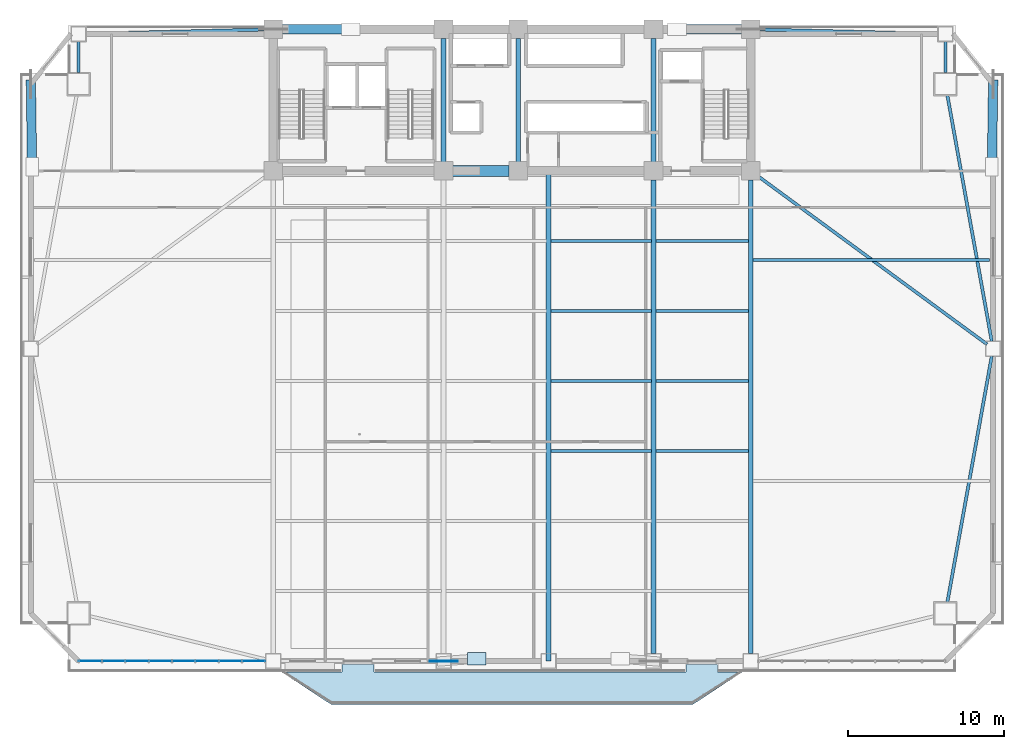
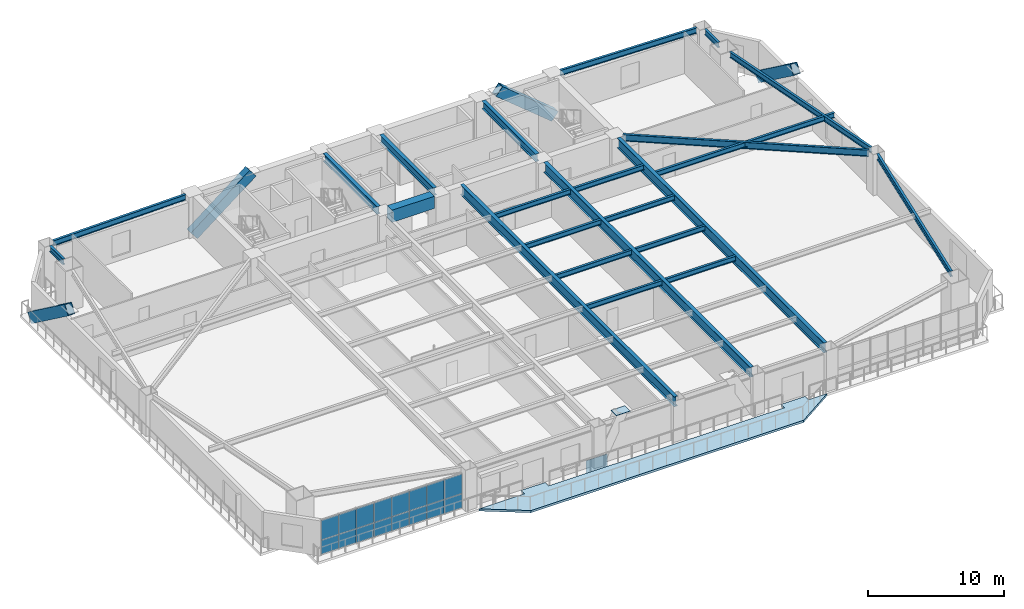
# One storey, part 6 of 16: 23 beams, 18 plates, 4 members, 1 slab, 1 element without a shape of its own.
"""IFC4 building model written with IfcOpenShell, lengths in metres."""

from ifc_helpers import new_model, si_unit, direction, frame, origin, origin_2d, place, context, subcontext, project, spatial, polyline, rectangle, hollow_rectangle, i_section, outline, extrude, source, transform, mapped, material, layer, layer_set, material_profile, profile_set, type_object, element, aggregate, save


model = new_model("IFC4")

# Units and contexts
model_context = context("Model", 3, precision=1e-05, world=origin(), true_north=direction((0.0, 1.0)))
body_context = subcontext(model_context, "Body", "Model", "MODEL_VIEW")
ifc_project = project(units=[si_unit("LENGTHUNIT", "METRE"), si_unit("AREAUNIT", "SQUARE_METRE"), si_unit("VOLUMEUNIT", "CUBIC_METRE"), si_unit("PLANEANGLEUNIT", "RADIAN"), si_unit("MASSUNIT", "GRAM", prefix="KILO")], contexts=[model_context])

# Site, building, storey
site_placement = place(None, origin())
site = spatial("IfcSite", under=ifc_project, at=site_placement, CompositionType="ELEMENT")
building_placement = place(site_placement, origin())
building = spatial("IfcBuilding", under=site, at=building_placement, Name="Giltprow Tower", CompositionType="ELEMENT")
storey_placement = place(building_placement, frame((0.0, 0.0, 87.39990234375)))
storey = spatial("IfcBuildingStorey", under=building, at=storey_placement, Name="L21", CompositionType="ELEMENT", Elevation=87.39990234375)

# Beams
ifc_material_1 = material(Name="Concrete C60", Category="concrete")
ifc_material_profile_1 = material_profile(ifc_material_1, rectangle(XDim=0.699951171875, YDim=1.10009765625, at=origin_2d()), Name="RC 1100x700")
ifc_profile_set_1 = profile_set([ifc_material_profile_1], Name="Concrete C60")
beam_type_1 = type_object("IfcBeamType", Name="BM-CPL-RC1100", PredefinedType="LINTEL", material=ifc_profile_set_1)
shared_shape_1 = source(origin(), body_context, "Body", "SweptSolid", [
    extrude(rectangle(XDim=0.699951171875, YDim=1.10009765625, at=origin_2d()), origin(), (0.0, 0.0, 1.0), 3.6298828125),
])
beam_1_placement = place(storey_placement, frame((31.385009765625, 37.449951171875, 3.130126953125), z_axis=(1.0, 0.0, 0.0), x_axis=(0.0, 1.0, 0.0)))
element("IfcBeam", 1, at=beam_1_placement, inside=storey, type_object=beam_type_1, Name="L21 Core Coupling Beam CB-1", PredefinedType="LINTEL", context=body_context, shape_type="MappedRepresentation", body=[
    mapped(shared_shape_1, transform((0.0, 0.0, 0.0), x_axis=(1.0, 0.0, 0.0), y_axis=(0.0, 1.0, 0.0), z_axis=(0.0, 0.0, 1.0), scale=1.0)),
])
ifc_material_2 = material(Name="Structural steel Q355B", Category="steel")
ifc_material_profile_2 = material_profile(ifc_material_2, i_section(OverallWidth=0.300048828125, OverallDepth=0.699951171875, WebThickness=0.012939453125, FlangeThickness=0.02392578125, at=origin_2d()), Name="HN 700x300x13x24")
ifc_profile_set_2 = profile_set([ifc_material_profile_2], Name="Structural steel Q355B")
beam_type_2 = type_object("IfcBeamType", Name="BM-GIRD-HN700", PredefinedType="BEAM", material=ifc_profile_set_2)
shared_shape_2 = source(origin(), body_context, "Body", "SweptSolid", [
    extrude(i_section(OverallWidth=0.300048828125, OverallDepth=0.699951171875, WebThickness=0.012939453125, FlangeThickness=0.02392578125, at=origin_2d()), origin(), (0.0, 0.0, 1.0), 7.93017578125),
])
for number, where, z_axis, x_axis, name in (
    (2, (30.800048828125, 38.034912109375, 3.330078125), (0.0, 1.0, 0.0), (-1.0, 0.0, 0.0), "L21 Core Tie Girder M1"),
    (3, (35.60009765625, 38.034912109375, 3.330078125), (0.0, 1.0, 0.0), (-1.0, 0.0, 0.0), "L21 Core Tie Girder M2"),
    (4, (44.300048828125, 38.034912109375, 3.330078125), (0.0, 1.0, 0.0), (-1.0, 0.0, 0.0), "L21 Core Tie Girder M3"),
):
    element("IfcBeam", number, at=place(storey_placement, frame(where, z_axis=z_axis, x_axis=x_axis)), inside=storey, type_object=beam_type_2, Name=name, PredefinedType="BEAM", context=body_context, shape_type="MappedRepresentation", body=[
        mapped(shared_shape_2, transform((0.0, 0.0, 0.0), x_axis=(1.0, 0.0, 0.0), y_axis=(0.0, 1.0, 0.0), z_axis=(0.0, 0.0, 1.0), scale=1.0)),
    ])
ifc_material_profile_3 = material_profile(ifc_material_2, i_section(OverallWidth=0.199951171875, OverallDepth=0.449951171875, WebThickness=0.009033203125, FlangeThickness=0.013916015625, at=origin_2d()), Name="HN 450x200x9x14")
ifc_profile_set_3 = profile_set([ifc_material_profile_3], Name="Structural steel Q355B")
beam_type_3 = type_object("IfcBeamType", Name="BM-JOIST-HN450", PredefinedType="JOIST", material=ifc_profile_set_3)
shared_shape_3 = source(origin(), body_context, "Body", "SweptSolid", [
    extrude(i_section(OverallWidth=0.199951171875, OverallDepth=0.449951171875, WebThickness=0.009033203125, FlangeThickness=0.013916015625, at=origin_2d()), origin(), (0.0, 0.0, 1.0), 6.4599609375),
])
for number, where, z_axis, x_axis, name in (
    (5, (37.695068359375, 19.44189453125, 3.455078125), (1.0, 0.0, 0.0), (0.0, 1.0, 0.0), "L21 Composite Floor Joist 3-3"),
    (6, (37.695068359375, 23.944091796875, 3.455078125), (1.0, 0.0, 0.0), (0.0, 1.0, 0.0), "L21 Composite Floor Joist 4-3"),
    (7, (37.695068359375, 28.446044921875, 3.455078125), (1.0, 0.0, 0.0), (0.0, 1.0, 0.0), "L21 Composite Floor Joist 5-3"),
    (8, (37.695068359375, 32.947998046875, 3.455078125), (1.0, 0.0, 0.0), (0.0, 1.0, 0.0), "L21 Composite Floor Joist 6-3"),
):
    element("IfcBeam", number, at=place(storey_placement, frame(where, z_axis=z_axis, x_axis=x_axis)), inside=storey, type_object=beam_type_3, Name=name, PredefinedType="JOIST", context=body_context, shape_type="MappedRepresentation", body=[
        mapped(shared_shape_3, transform((0.0, 0.0, 0.0), x_axis=(1.0, 0.0, 0.0), y_axis=(0.0, 1.0, 0.0), z_axis=(0.0, 0.0, 1.0), scale=1.0)),
    ])
shared_shape_4 = source(origin(), body_context, "Body", "SweptSolid", [
    extrude(i_section(OverallWidth=0.199951171875, OverallDepth=0.449951171875, WebThickness=0.009033203125, FlangeThickness=0.013916015625, at=origin_2d()), origin(), (0.0, 0.0, 1.0), 5.9599609375),
])
for number, where, z_axis, x_axis, name in (
    (9, (44.445068359375, 19.44189453125, 3.455078125), (1.0, 0.0, 0.0), (0.0, 1.0, 0.0), "L21 Composite Floor Joist 3-4"),
    (10, (44.445068359375, 23.944091796875, 3.455078125), (1.0, 0.0, 0.0), (0.0, 1.0, 0.0), "L21 Composite Floor Joist 4-4"),
    (11, (44.445068359375, 28.446044921875, 3.455078125), (1.0, 0.0, 0.0), (0.0, 1.0, 0.0), "L21 Composite Floor Joist 5-4"),
    (12, (44.445068359375, 32.947998046875, 3.455078125), (1.0, 0.0, 0.0), (0.0, 1.0, 0.0), "L21 Composite Floor Joist 6-4"),
):
    element("IfcBeam", number, at=place(storey_placement, frame(where, z_axis=z_axis, x_axis=x_axis)), inside=storey, type_object=beam_type_3, Name=name, PredefinedType="JOIST", context=body_context, shape_type="MappedRepresentation", body=[
        mapped(shared_shape_4, transform((0.0, 0.0, 0.0), x_axis=(1.0, 0.0, 0.0), y_axis=(0.0, 1.0, 0.0), z_axis=(0.0, 0.0, 1.0), scale=1.0)),
    ])
ifc_material_profile_4 = material_profile(ifc_material_2, i_section(OverallWidth=0.199951171875, OverallDepth=0.5, WebThickness=0.010009765625, FlangeThickness=0.01611328125, at=origin_2d()), Name="HN 500x200x10x16")
ifc_profile_set_4 = profile_set([ifc_material_profile_4], Name="Structural steel Q355B")
beam_type_4 = type_object("IfcBeamType", Name="BM-SPAN-HN500", PredefinedType="SPANDREL", material=ifc_profile_set_4)
shared_shape_5 = source(origin(), body_context, "Body", "SweptSolid", [
    extrude(i_section(OverallWidth=0.199951171875, OverallDepth=0.5, WebThickness=0.010009765625, FlangeThickness=0.01611328125, at=origin_2d()), origin(), (0.0, 0.0, 1.0), 16.0673828125),
])
beam_2_placement = place(storey_placement, frame((63.18701171875, 9.72900390625, 3.43017578125), z_axis=(0.177566852067, 0.984108740459, 0.0), x_axis=(-0.984108740459, 0.177566852067, 0.0)))
element("IfcBeam", 13, at=beam_2_placement, inside=storey, type_object=beam_type_4, Name="L21 Perimeter Spandrel Beam MC_SE-E_MID", PredefinedType="SPANDREL", context=body_context, shape_type="MappedRepresentation", body=[
    mapped(shared_shape_5, transform((0.0, 0.0, 0.0), x_axis=(1.0, 0.0, 0.0), y_axis=(0.0, 1.0, 0.0), z_axis=(0.0, 0.0, 1.0), scale=1.0)),
])
shared_shape_6 = source(origin(), body_context, "Body", "SweptSolid", [
    extrude(i_section(OverallWidth=0.199951171875, OverallDepth=0.5, WebThickness=0.010009765625, FlangeThickness=0.01611328125, at=origin_2d()), origin(), (0.0, 0.0, 1.0), 16.067138671875),
])
beam_3_placement = place(storey_placement, frame((66.0400390625, 26.4951171875, 3.43017578125), z_axis=(-0.177569507329, 0.984108261355, 0.0), x_axis=(-0.984108261355, -0.177569507329, 0.0)))
element("IfcBeam", 14, at=beam_3_placement, inside=storey, type_object=beam_type_4, Name="L21 Perimeter Spandrel Beam E_MID-MC_NE", PredefinedType="SPANDREL", context=body_context, shape_type="MappedRepresentation", body=[
    mapped(shared_shape_6, transform((0.0, 0.0, 0.0), x_axis=(1.0, 0.0, 0.0), y_axis=(0.0, 1.0, 0.0), z_axis=(0.0, 0.0, 1.0), scale=1.0)),
])
shared_shape_7 = source(origin(), body_context, "Body", "SweptSolid", [
    extrude(i_section(OverallWidth=0.199951171875, OverallDepth=0.5, WebThickness=0.010009765625, FlangeThickness=0.01611328125, at=origin_2d()), origin(), (0.0, 0.0, 1.0), 2.0),
])
for number, where, z_axis, x_axis, name in (
    (15, (63.055908203125, 43.764892578125, 3.43017578125), (0.0, 1.0, 0.0), (-1.0, 0.0, 0.0), "L21 Perimeter Spandrel Beam MC_NE-N_E"),
    (16, (7.344970703125, 45.764892578125, 3.43017578125), (0.0, -1.0, 0.0), (1.0, 0.0, 0.0), "L21 Perimeter Spandrel Beam N_W-MC_NW"),
):
    element("IfcBeam", number, at=place(storey_placement, frame(where, z_axis=z_axis, x_axis=x_axis)), inside=storey, type_object=beam_type_4, Name=name, PredefinedType="SPANDREL", context=body_context, shape_type="MappedRepresentation", body=[
        mapped(shared_shape_7, transform((0.0, 0.0, 0.0), x_axis=(1.0, 0.0, 0.0), y_axis=(0.0, 1.0, 0.0), z_axis=(0.0, 0.0, 1.0), scale=1.0)),
    ])
shared_shape_8 = source(origin(), body_context, "Body", "SweptSolid", [
    extrude(i_section(OverallWidth=0.199951171875, OverallDepth=0.5, WebThickness=0.010009765625, FlangeThickness=0.01611328125, at=origin_2d()), origin(), (0.0, 0.0, 1.0), 11.43798828125),
])
beam_4_placement = place(storey_placement, frame((7.830078125, 46.261962890625, 3.43017578125), z_axis=(0.999713192365, 0.023948549263, 0.0), x_axis=(-0.023948549263, 0.999713192365, 0.0)))
element("IfcBeam", 17, at=beam_4_placement, inside=storey, type_object=beam_type_4, Name="L21 North Wing Spandrel W", PredefinedType="SPANDREL", context=body_context, shape_type="MappedRepresentation", body=[
    mapped(shared_shape_8, transform((0.0, 0.0, 0.0), x_axis=(1.0, 0.0, 0.0), y_axis=(0.0, 1.0, 0.0), z_axis=(0.0, 0.0, 1.0), scale=1.0)),
])
shared_shape_9 = source(origin(), body_context, "Body", "SweptSolid", [
    extrude(i_section(OverallWidth=0.199951171875, OverallDepth=0.5, WebThickness=0.010009765625, FlangeThickness=0.01611328125, at=origin_2d()), origin(), (0.0, 0.0, 1.0), 11.439208984375),
])
beam_5_placement = place(storey_placement, frame((51.135009765625, 46.535888671875, 3.43017578125), z_axis=(0.999713253564, -0.023945994417, 0.0), x_axis=(0.023945994417, 0.999713253564, 0.0)))
element("IfcBeam", 18, at=beam_5_placement, inside=storey, type_object=beam_type_4, Name="L21 North Wing Spandrel E", PredefinedType="SPANDREL", context=body_context, shape_type="MappedRepresentation", body=[
    mapped(shared_shape_9, transform((0.0, 0.0, 0.0), x_axis=(1.0, 0.0, 0.0), y_axis=(0.0, 1.0, 0.0), z_axis=(0.0, 0.0, 1.0), scale=1.0)),
])
ifc_material_profile_5 = material_profile(ifc_material_2, i_section(OverallWidth=0.300048828125, OverallDepth=0.89990234375, WebThickness=0.01611328125, FlangeThickness=0.028076171875, at=origin_2d()), Name="HN 900x300x16x28")
ifc_profile_set_5 = profile_set([ifc_material_profile_5], Name="Structural steel Q355B")
beam_type_5 = type_object("IfcBeamType", Name="BM-GIRD-HN900", PredefinedType="BEAM", material=ifc_profile_set_5)
shared_shape_10 = source(origin(), body_context, "Body", "SweptSolid", [
    extrude(i_section(OverallWidth=0.300048828125, OverallDepth=0.89990234375, WebThickness=0.01611328125, FlangeThickness=0.028076171875, at=origin_2d()), origin(), (0.0, 0.0, 1.0), 30.444091796875),
])
for number, where, z_axis, x_axis, name in (
    (19, (44.300048828125, 6.4208984375, 3.22998046875), (0.0, 1.0, 0.0), (-1.0, 0.0, 0.0), "L21 Primary Lease Girder S3"),
    (20, (50.550048828125, 6.4208984375, 3.22998046875), (0.0, 1.0, 0.0), (-1.0, 0.0, 0.0), "L21 Primary Lease Girder S4"),
):
    element("IfcBeam", number, at=place(storey_placement, frame(where, z_axis=z_axis, x_axis=x_axis)), inside=storey, type_object=beam_type_5, Name=name, PredefinedType="BEAM", context=body_context, shape_type="MappedRepresentation", body=[
        mapped(shared_shape_10, transform((0.0, 0.0, 0.0), x_axis=(1.0, 0.0, 0.0), y_axis=(0.0, 1.0, 0.0), z_axis=(0.0, 0.0, 1.0), scale=1.0)),
    ])
shared_shape_11 = source(origin(), body_context, "Body", "SweptSolid", [
    extrude(i_section(OverallWidth=0.300048828125, OverallDepth=0.89990234375, WebThickness=0.01611328125, FlangeThickness=0.028076171875, at=origin_2d()), origin(), (0.0, 0.0, 1.0), 31.513916015625),
])
beam_6_placement = place(storey_placement, frame((37.550048828125, 5.93603515625, 3.22998046875), z_axis=(0.0, 1.0, 0.0), x_axis=(-1.0, 0.0, 0.0)))
element("IfcBeam", 21, at=beam_6_placement, inside=storey, type_object=beam_type_5, Name="L21 Central Lease Girder SMID", PredefinedType="BEAM", context=body_context, shape_type="MappedRepresentation", body=[
    mapped(shared_shape_11, transform((0.0, 0.0, 0.0), x_axis=(1.0, 0.0, 0.0), y_axis=(0.0, 1.0, 0.0), z_axis=(0.0, 0.0, 1.0), scale=1.0)),
])
ifc_material_profile_6 = material_profile(ifc_material_2, i_section(OverallWidth=0.199951171875, OverallDepth=0.60009765625, WebThickness=0.010986328125, FlangeThickness=0.01708984375, at=origin_2d()), Name="HN 600x200x11x17")
ifc_profile_set_6 = profile_set([ifc_material_profile_6], Name="Structural steel Q355B")
beam_type_6 = type_object("IfcBeamType", Name="BM-GIRD-HN600", PredefinedType="BEAM", material=ifc_profile_set_6)
shared_shape_12 = source(origin(), body_context, "Body", "SweptSolid", [
    extrude(i_section(OverallWidth=0.199951171875, OverallDepth=0.60009765625, WebThickness=0.010986328125, FlangeThickness=0.01708984375, at=origin_2d()), origin(), (0.0, 0.0, 1.0), 18.2509765625),
])
beam_7_placement = place(storey_placement, frame((65.735107421875, 26.304931640625, 3.380126953125), z_axis=(-0.806158265138, 0.591699967508, 0.0), x_axis=(-0.591699967508, -0.806158265138, 0.0)))
element("IfcBeam", 22, at=beam_7_placement, inside=storey, type_object=beam_type_6, Name="L21 East Wing Primary Girder", PredefinedType="BEAM", context=body_context, shape_type="MappedRepresentation", body=[
    mapped(shared_shape_12, transform((0.0, 0.0, 0.0), x_axis=(1.0, 0.0, 0.0), y_axis=(0.0, 1.0, 0.0), z_axis=(0.0, 0.0, 1.0), scale=1.0)),
])
shared_shape_13 = source(origin(), body_context, "Body", "SweptSolid", [
    extrude(i_section(OverallWidth=0.199951171875, OverallDepth=0.449951171875, WebThickness=0.009033203125, FlangeThickness=0.013916015625, at=origin_2d()), origin(), (0.0, 0.0, 1.0), 15.2109375),
])
beam_8_placement = place(storey_placement, frame((50.695068359375, 31.73388671875, 3.455078125), z_axis=(1.0, 0.0, 0.0), x_axis=(0.0, 1.0, 0.0)))
element("IfcBeam", 23, at=beam_8_placement, inside=storey, type_object=beam_type_3, Name="L21 East Wing Floor Joist 2", PredefinedType="JOIST", context=body_context, shape_type="MappedRepresentation", body=[
    mapped(shared_shape_13, transform((0.0, 0.0, 0.0), x_axis=(1.0, 0.0, 0.0), y_axis=(0.0, 1.0, 0.0), z_axis=(0.0, 0.0, 1.0), scale=1.0)),
])

# Members
ifc_material_3 = material(Name="Structural steel Q420GJC", Category="steel")
ifc_material_profile_7 = material_profile(ifc_material_3, hollow_rectangle(XDim=0.60009765625, YDim=0.89990234375, WallThickness=0.0400390625, at=origin_2d()), Name="RHS 900x600x40")
ifc_profile_set_7 = profile_set([ifc_material_profile_7], Name="Structural steel Q420GJC")
member_type = type_object("IfcMemberType", Name="MBR-MEGA-RHS900", PredefinedType="BRACE", material=ifc_profile_set_7)
shared_shape_14 = source(origin(), body_context, "Body", "SweptSolid", [
    extrude(hollow_rectangle(XDim=0.60009765625, YDim=0.89990234375, WallThickness=0.0400390625, at=origin_2d()), origin(), (0.0, 0.0, 1.0), 6.13818359375),
])
member_1_placement = place(storey_placement, frame((50.550048828125, 46.550048828125, -0.139892578125), z_axis=(-0.77221948349, 0.0, 0.635355860379), x_axis=(0.0, -1.0, 0.0)))
element("IfcMember", 24, at=member_1_placement, inside=storey, type_object=member_type, Name="L21 Chevron Mega-Brace N-R", PredefinedType="BRACE", context=body_context, shape_type="MappedRepresentation", body=[
    mapped(shared_shape_14, transform((0.0, 0.0, 0.0), x_axis=(1.0, 0.0, 0.0), y_axis=(0.0, 1.0, 0.0), z_axis=(0.0, 0.0, 1.0), scale=1.0)),
])
shared_shape_15 = source(origin(), body_context, "Body", "SweptSolid", [
    extrude(hollow_rectangle(XDim=0.60009765625, YDim=0.89990234375, WallThickness=0.0400390625, at=origin_2d()), origin(), (0.0, 0.0, 1.0), 6.336181640625),
])
member_2_placement = place(storey_placement, frame((19.85009765625, 46.550048828125, -0.139892578125), z_axis=(0.788145278066, 0.0, 0.615489253084), x_axis=(0.0, 1.0, 0.0)))
element("IfcMember", 25, at=member_2_placement, inside=storey, type_object=member_type, Name="L21 Chevron Mega-Brace N-L", PredefinedType="BRACE", context=body_context, shape_type="MappedRepresentation", body=[
    mapped(shared_shape_15, transform((0.0, 0.0, 0.0), x_axis=(1.0, 0.0, 0.0), y_axis=(0.0, 1.0, 0.0), z_axis=(0.0, 0.0, 1.0), scale=1.0)),
])
shared_shape_16 = source(origin(), body_context, "Body", "SweptSolid", [
    extrude(hollow_rectangle(XDim=0.60009765625, YDim=0.89990234375, WallThickness=0.0400390625, at=origin_2d()), origin(), (0.0, 0.0, 1.0), 6.589599609375),
])
for number, where, z_axis, x_axis, name in (
    (26, (4.27490234375, 43.030029296875, 0.0), (0.011411070769, -0.805962446468, 0.591856673822), (0.999899786114, 0.014156896852, 0.0), "L21 Chevron Mega-Brace W-R"),
    (27, (66.1259765625, 43.030029296875, 0.0), (-0.011374026639, -0.80596278665, 0.591856923634), (0.9999004357, -0.014110942069, 0.0), "L21 Chevron Mega-Brace E-R"),
):
    element("IfcMember", number, at=place(storey_placement, frame(where, z_axis=z_axis, x_axis=x_axis)), inside=storey, type_object=member_type, Name=name, PredefinedType="BRACE", context=body_context, shape_type="MappedRepresentation", body=[
        mapped(shared_shape_16, transform((0.0, 0.0, 0.0), x_axis=(1.0, 0.0, 0.0), y_axis=(0.0, 1.0, 0.0), z_axis=(0.0, 0.0, 1.0), scale=1.0)),
    ])

# Slab
ifc_material_4 = material(Name="Concrete C40", Category="concrete")
ifc_layer_1 = layer(ifc_material_4, 0.199951171875, Name="Concrete C40")
ifc_layer_set_1 = layer_set([ifc_layer_1], Name="Concrete C40")
slab_type = type_object("IfcSlabType", Name="SLB-BALC-BRONZE-200", PredefinedType="FLOOR", material=ifc_layer_set_1)
slab_placement = place(storey_placement, frame((0.0, 0.0, -0.199951171875)))
element("IfcSlab", 28, at=slab_placement, inside=storey, type_object=slab_type, Name="L21 Bronze Prow Waterfront Balcony Slab", PredefinedType="FLOOR", context=body_context, shape_type="SweptSolid", body=[
    extrude(outline(polyline([(50.0, 5.236083984375), (46.800048828125, 3.135986328125), (23.60009765625, 3.135986328125), (20.39990234375, 5.236083984375), (24.280029296875, 5.236083984375), (24.280029296875, 5.736083984375), (26.320068359375, 5.736083984375), (26.320068359375, 5.236083984375), (46.3798828125, 5.236083984375), (46.3798828125, 5.736083984375), (48.419921875, 5.736083984375), (48.419921875, 5.236083984375), (50.0, 5.236083984375)])), origin(), (0.0, 0.0, 1.0), 0.199951171875),
])

# Plates
plate_type_1 = type_object("IfcPlateType", Name="PLT-NODE-MBN1", PredefinedType="USERDEFINED", material=ifc_material_3)
shared_shape_17 = source(origin(), body_context, "Body", "SweptSolid", [
    extrude(rectangle(XDim=1.800048828125, YDim=0.050048828125, at=origin_2d()), origin(), (0.0, 0.0, 1.0), 1.14990234375),
])
plate_1_placement = place(storey_placement, frame((30.800048828125, 5.93603515625, -0.574951171875), z_axis=(0.0, 0.0, 1.0), x_axis=(1.0, 0.0, 0.0)))
element("IfcPlate", 29, at=plate_1_placement, inside=storey, type_object=plate_type_1, Name="Mega-Brace Node L21-S-LA", ObjectType="GUSSET", PredefinedType="USERDEFINED", context=body_context, shape_type="MappedRepresentation", body=[
    mapped(shared_shape_17, transform((0.0, 0.0, 0.0), x_axis=(1.0, 0.0, 0.0), y_axis=(0.0, 1.0, 0.0), z_axis=(0.0, 0.0, 1.0), scale=1.0)),
])
plate_type_2 = type_object("IfcPlateType", Name="PLT-CAP-SEAL", PredefinedType="USERDEFINED", material=ifc_material_3)
shared_shape_18 = source(origin(), body_context, "Body", "SweptSolid", [
    extrude(rectangle(XDim=1.199951171875, YDim=0.800048828125, at=origin_2d()), origin(), (0.0, 0.0, 1.0), 0.034912109375),
])
plate_2_placement = place(storey_placement, frame((32.93994140625, 6.10302734375, 3.8828125), z_axis=(0.0, 0.0, 1.0), x_axis=(1.0, 0.0, 0.0)))
element("IfcPlate", 30, at=plate_2_placement, inside=storey, type_object=plate_type_2, Name="Mega-Brace Node L21-S-LB", ObjectType="SPLICE", PredefinedType="USERDEFINED", context=body_context, shape_type="MappedRepresentation", body=[
    mapped(shared_shape_18, transform((0.0, 0.0, 0.0), x_axis=(1.0, 0.0, 0.0), y_axis=(0.0, 1.0, 0.0), z_axis=(0.0, 0.0, 1.0), scale=1.0)),
])

# Curtain wall, plates
ifc_material_5 = material(Name="Anodized bronze", Category="metal")
ifc_layer_2 = layer(ifc_material_5, 0.179931640625, Name="Anodized bronze")
ifc_layer_set_2 = layer_set([ifc_layer_2], Name="Anodized bronze")
curtain_wall_type = type_object("IfcCurtainWallType", Name="CW-OFF-RECESSED", PredefinedType="NOTDEFINED", material=ifc_layer_set_2)
curtain_wall_placement = place(storey_placement, origin())
curtain_wall = element("IfcCurtainWall", 31, at=curtain_wall_placement, inside=storey, type_object=curtain_wall_type, Name="L21 South Recessed Curtain Wall 1", PredefinedType="NOTDEFINED")
ifc_material_6 = material(Name="Insulated glass", Category="glass")
plate_type_3 = type_object("IfcPlateType", Name="CW-PANEL-IGU-28", PredefinedType="CURTAIN_PANEL", material=ifc_material_6)
shared_shape_19 = source(origin(), body_context, "Body", "SweptSolid", [
    extrude(rectangle(XDim=1.470947265625, YDim=0.028076171875, at=origin_2d()), origin(), (0.0, 0.0, 1.0), 1.259033203125),
])
plate_3_placement = place(storey_placement, frame((8.094970703125, 5.93603515625, 0.0546875), z_axis=(0.0, 0.0, 1.0), x_axis=(1.0, 0.0, 0.0)))
plate_3 = element("IfcPlate", 32, at=plate_3_placement, type_object=plate_type_3, Name="L21 South Recessed Curtain Wall 1 Glazing Panel 1-1", PredefinedType="CURTAIN_PANEL", context=body_context, shape_type="MappedRepresentation", body=[
    mapped(shared_shape_19, transform((0.0, 0.0, 0.0), x_axis=(1.0, 0.0, 0.0), y_axis=(0.0, 1.0, 0.0), z_axis=(0.0, 0.0, 1.0), scale=1.0)),
])
plate_4_placement = place(storey_placement, frame((9.595947265625, 5.93603515625, 0.0546875), z_axis=(0.0, 0.0, 1.0), x_axis=(1.0, 0.0, 0.0)))
plate_4 = element("IfcPlate", 33, at=plate_4_placement, type_object=plate_type_3, Name="L21 South Recessed Curtain Wall 1 Glazing Panel 2-1", PredefinedType="CURTAIN_PANEL", context=body_context, shape_type="MappedRepresentation", body=[
    mapped(shared_shape_19, transform((0.0, 0.0, 0.0), x_axis=(1.0, 0.0, 0.0), y_axis=(0.0, 1.0, 0.0), z_axis=(0.0, 0.0, 1.0), scale=1.0)),
])
plate_5_placement = place(storey_placement, frame((11.096923828125, 5.93603515625, 0.0546875), z_axis=(0.0, 0.0, 1.0), x_axis=(1.0, 0.0, 0.0)))
plate_5 = element("IfcPlate", 34, at=plate_5_placement, type_object=plate_type_3, Name="L21 South Recessed Curtain Wall 1 Glazing Panel 3-1", PredefinedType="CURTAIN_PANEL", context=body_context, shape_type="MappedRepresentation", body=[
    mapped(shared_shape_19, transform((0.0, 0.0, 0.0), x_axis=(1.0, 0.0, 0.0), y_axis=(0.0, 1.0, 0.0), z_axis=(0.0, 0.0, 1.0), scale=1.0)),
])
plate_6_placement = place(storey_placement, frame((12.596923828125, 5.93603515625, 0.0546875), z_axis=(0.0, 0.0, 1.0), x_axis=(1.0, 0.0, 0.0)))
plate_6 = element("IfcPlate", 35, at=plate_6_placement, type_object=plate_type_3, Name="L21 South Recessed Curtain Wall 1 Glazing Panel 4-1", PredefinedType="CURTAIN_PANEL", context=body_context, shape_type="MappedRepresentation", body=[
    mapped(shared_shape_19, transform((0.0, 0.0, 0.0), x_axis=(1.0, 0.0, 0.0), y_axis=(0.0, 1.0, 0.0), z_axis=(0.0, 0.0, 1.0), scale=1.0)),
])
plate_7_placement = place(storey_placement, frame((14.097900390625, 5.93603515625, 0.0546875), z_axis=(0.0, 0.0, 1.0), x_axis=(1.0, 0.0, 0.0)))
plate_7 = element("IfcPlate", 36, at=plate_7_placement, type_object=plate_type_3, Name="L21 South Recessed Curtain Wall 1 Glazing Panel 5-1", PredefinedType="CURTAIN_PANEL", context=body_context, shape_type="MappedRepresentation", body=[
    mapped(shared_shape_19, transform((0.0, 0.0, 0.0), x_axis=(1.0, 0.0, 0.0), y_axis=(0.0, 1.0, 0.0), z_axis=(0.0, 0.0, 1.0), scale=1.0)),
])
plate_8_placement = place(storey_placement, frame((15.597900390625, 5.93603515625, 0.0546875), z_axis=(0.0, 0.0, 1.0), x_axis=(1.0, 0.0, 0.0)))
plate_8 = element("IfcPlate", 37, at=plate_8_placement, type_object=plate_type_3, Name="L21 South Recessed Curtain Wall 1 Glazing Panel 6-1", PredefinedType="CURTAIN_PANEL", context=body_context, shape_type="MappedRepresentation", body=[
    mapped(shared_shape_19, transform((0.0, 0.0, 0.0), x_axis=(1.0, 0.0, 0.0), y_axis=(0.0, 1.0, 0.0), z_axis=(0.0, 0.0, 1.0), scale=1.0)),
])
plate_9_placement = place(storey_placement, frame((17.09912109375, 5.93603515625, 0.0546875), z_axis=(0.0, 0.0, 1.0), x_axis=(1.0, 0.0, 0.0)))
plate_9 = element("IfcPlate", 38, at=plate_9_placement, type_object=plate_type_3, Name="L21 South Recessed Curtain Wall 1 Glazing Panel 7-1", PredefinedType="CURTAIN_PANEL", context=body_context, shape_type="MappedRepresentation", body=[
    mapped(shared_shape_19, transform((0.0, 0.0, 0.0), x_axis=(1.0, 0.0, 0.0), y_axis=(0.0, 1.0, 0.0), z_axis=(0.0, 0.0, 1.0), scale=1.0)),
])
plate_10_placement = place(storey_placement, frame((18.60009765625, 5.93603515625, 0.0546875), z_axis=(0.0, 0.0, 1.0), x_axis=(1.0, 0.0, 0.0)))
plate_10 = element("IfcPlate", 39, at=plate_10_placement, type_object=plate_type_3, Name="L21 South Recessed Curtain Wall 1 Glazing Panel 8-1", PredefinedType="CURTAIN_PANEL", context=body_context, shape_type="MappedRepresentation", body=[
    mapped(shared_shape_19, transform((0.0, 0.0, 0.0), x_axis=(1.0, 0.0, 0.0), y_axis=(0.0, 1.0, 0.0), z_axis=(0.0, 0.0, 1.0), scale=1.0)),
])
shared_shape_20 = source(origin(), body_context, "Body", "SweptSolid", [
    extrude(rectangle(XDim=1.470947265625, YDim=0.028076171875, at=origin_2d()), origin(), (0.0, 0.0, 1.0), 1.764892578125),
])
plate_11_placement = place(storey_placement, frame((8.094970703125, 5.93603515625, 1.341796875), z_axis=(0.0, 0.0, 1.0), x_axis=(1.0, 0.0, 0.0)))
plate_11 = element("IfcPlate", 40, at=plate_11_placement, type_object=plate_type_3, Name="L21 South Recessed Curtain Wall 1 Glazing Panel 1-2", PredefinedType="CURTAIN_PANEL", context=body_context, shape_type="MappedRepresentation", body=[
    mapped(shared_shape_20, transform((0.0, 0.0, 0.0), x_axis=(1.0, 0.0, 0.0), y_axis=(0.0, 1.0, 0.0), z_axis=(0.0, 0.0, 1.0), scale=1.0)),
])
plate_12_placement = place(storey_placement, frame((9.595947265625, 5.93603515625, 1.341796875), z_axis=(0.0, 0.0, 1.0), x_axis=(1.0, 0.0, 0.0)))
plate_12 = element("IfcPlate", 41, at=plate_12_placement, type_object=plate_type_3, Name="L21 South Recessed Curtain Wall 1 Glazing Panel 2-2", PredefinedType="CURTAIN_PANEL", context=body_context, shape_type="MappedRepresentation", body=[
    mapped(shared_shape_20, transform((0.0, 0.0, 0.0), x_axis=(1.0, 0.0, 0.0), y_axis=(0.0, 1.0, 0.0), z_axis=(0.0, 0.0, 1.0), scale=1.0)),
])
plate_13_placement = place(storey_placement, frame((11.096923828125, 5.93603515625, 1.341796875), z_axis=(0.0, 0.0, 1.0), x_axis=(1.0, 0.0, 0.0)))
plate_13 = element("IfcPlate", 42, at=plate_13_placement, type_object=plate_type_3, Name="L21 South Recessed Curtain Wall 1 Glazing Panel 3-2", PredefinedType="CURTAIN_PANEL", context=body_context, shape_type="MappedRepresentation", body=[
    mapped(shared_shape_20, transform((0.0, 0.0, 0.0), x_axis=(1.0, 0.0, 0.0), y_axis=(0.0, 1.0, 0.0), z_axis=(0.0, 0.0, 1.0), scale=1.0)),
])
plate_14_placement = place(storey_placement, frame((12.596923828125, 5.93603515625, 1.341796875), z_axis=(0.0, 0.0, 1.0), x_axis=(1.0, 0.0, 0.0)))
plate_14 = element("IfcPlate", 43, at=plate_14_placement, type_object=plate_type_3, Name="L21 South Recessed Curtain Wall 1 Glazing Panel 4-2", PredefinedType="CURTAIN_PANEL", context=body_context, shape_type="MappedRepresentation", body=[
    mapped(shared_shape_20, transform((0.0, 0.0, 0.0), x_axis=(1.0, 0.0, 0.0), y_axis=(0.0, 1.0, 0.0), z_axis=(0.0, 0.0, 1.0), scale=1.0)),
])
plate_15_placement = place(storey_placement, frame((14.097900390625, 5.93603515625, 1.341796875), z_axis=(0.0, 0.0, 1.0), x_axis=(1.0, 0.0, 0.0)))
plate_15 = element("IfcPlate", 44, at=plate_15_placement, type_object=plate_type_3, Name="L21 South Recessed Curtain Wall 1 Glazing Panel 5-2", PredefinedType="CURTAIN_PANEL", context=body_context, shape_type="MappedRepresentation", body=[
    mapped(shared_shape_20, transform((0.0, 0.0, 0.0), x_axis=(1.0, 0.0, 0.0), y_axis=(0.0, 1.0, 0.0), z_axis=(0.0, 0.0, 1.0), scale=1.0)),
])
plate_16_placement = place(storey_placement, frame((15.597900390625, 5.93603515625, 1.341796875), z_axis=(0.0, 0.0, 1.0), x_axis=(1.0, 0.0, 0.0)))
plate_16 = element("IfcPlate", 45, at=plate_16_placement, type_object=plate_type_3, Name="L21 South Recessed Curtain Wall 1 Glazing Panel 6-2", PredefinedType="CURTAIN_PANEL", context=body_context, shape_type="MappedRepresentation", body=[
    mapped(shared_shape_20, transform((0.0, 0.0, 0.0), x_axis=(1.0, 0.0, 0.0), y_axis=(0.0, 1.0, 0.0), z_axis=(0.0, 0.0, 1.0), scale=1.0)),
])
plate_17_placement = place(storey_placement, frame((17.09912109375, 5.93603515625, 1.341796875), z_axis=(0.0, 0.0, 1.0), x_axis=(1.0, 0.0, 0.0)))
plate_17 = element("IfcPlate", 46, at=plate_17_placement, type_object=plate_type_3, Name="L21 South Recessed Curtain Wall 1 Glazing Panel 7-2", PredefinedType="CURTAIN_PANEL", context=body_context, shape_type="MappedRepresentation", body=[
    mapped(shared_shape_20, transform((0.0, 0.0, 0.0), x_axis=(1.0, 0.0, 0.0), y_axis=(0.0, 1.0, 0.0), z_axis=(0.0, 0.0, 1.0), scale=1.0)),
])
plate_18_placement = place(storey_placement, frame((18.60009765625, 5.93603515625, 1.341796875), z_axis=(0.0, 0.0, 1.0), x_axis=(1.0, 0.0, 0.0)))
plate_18 = element("IfcPlate", 47, at=plate_18_placement, type_object=plate_type_3, Name="L21 South Recessed Curtain Wall 1 Glazing Panel 8-2", PredefinedType="CURTAIN_PANEL", context=body_context, shape_type="MappedRepresentation", body=[
    mapped(shared_shape_20, transform((0.0, 0.0, 0.0), x_axis=(1.0, 0.0, 0.0), y_axis=(0.0, 1.0, 0.0), z_axis=(0.0, 0.0, 1.0), scale=1.0)),
])
aggregate(curtain_wall, [plate_3, plate_11, plate_4, plate_12, plate_5, plate_13, plate_6, plate_14, plate_7, plate_15, plate_8, plate_16, plate_9, plate_17, plate_10, plate_18])

save(model, "model.ifc")
